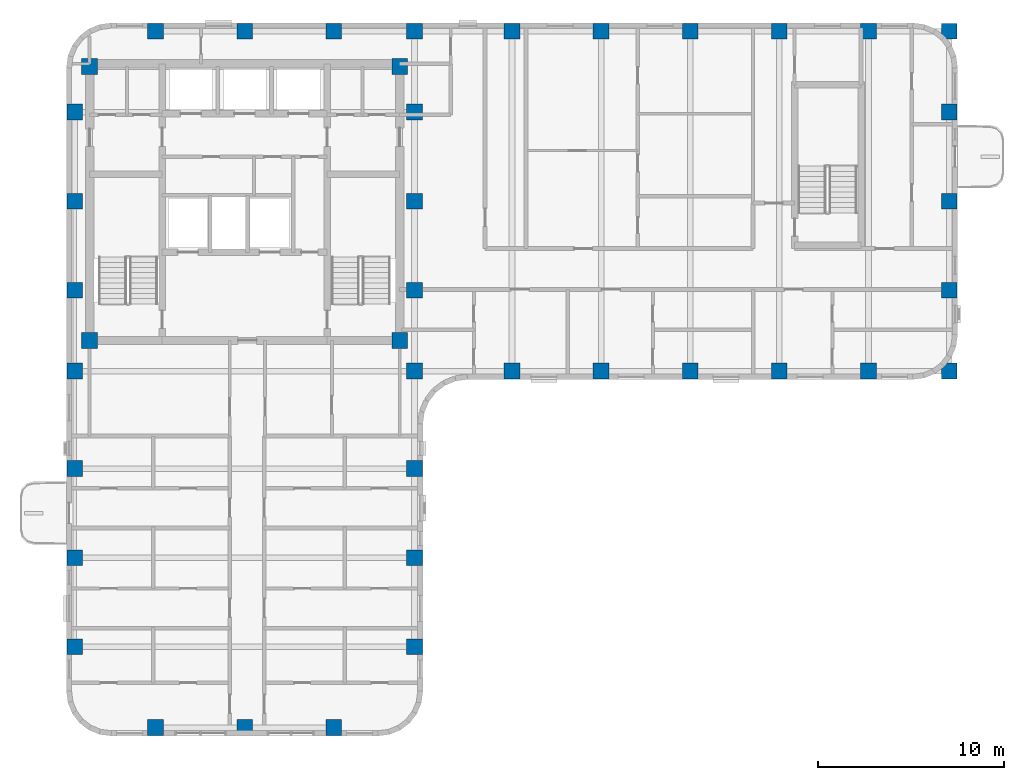
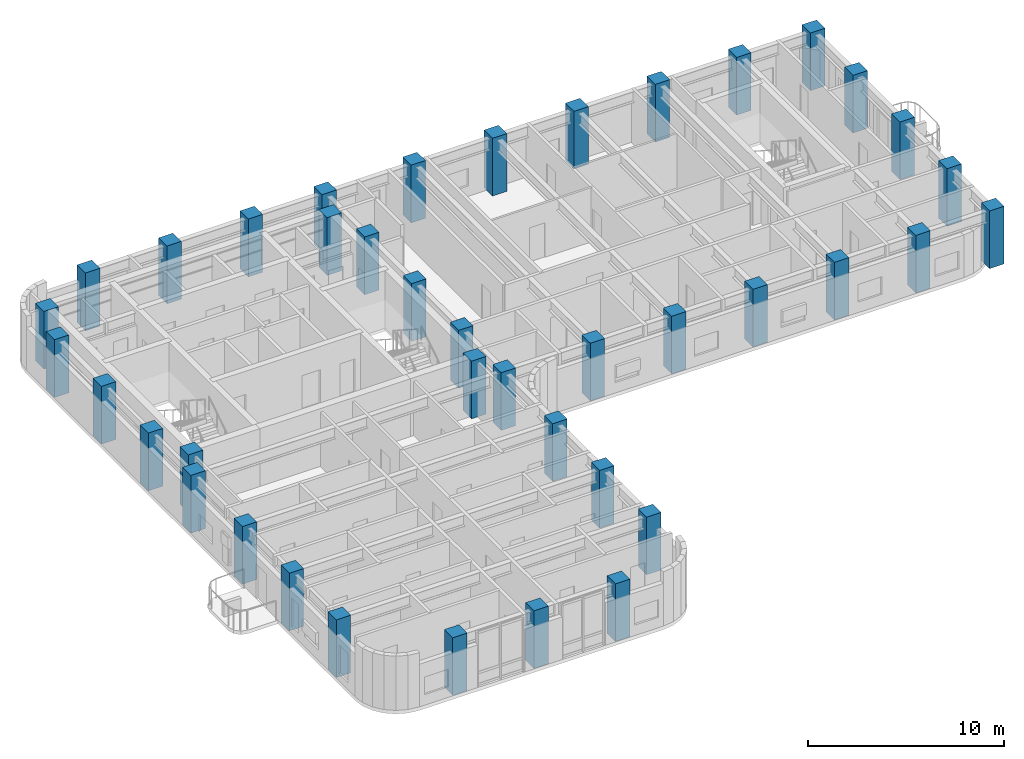
# One storey, part 1 of 12: 40 columns.
"""IFC4 building model written with IfcOpenShell, lengths in metres."""

import ifcopenshell
import ifcopenshell.guid

model = None  # the IFC model being written
_history = None  # IfcOwnerHistory: only IFC2X3 demands one
_inside = {}  # id of a spatial element -> (the spatial element, [elements in it])
_under = {}  # id of a project, library or spatial element -> (it, [spatial elements below it])
_declared = {}  # id of a project -> (the project, [libraries it declares])
_typed = {}  # id of a type object -> (the type object, [elements of that type])
_made_of = {}  # id of a material, layer set ... -> (it, [elements and type objects made of it])


def new_model(schema):
    """Start an empty IFC model of exactly this schema.

    Asked for "IFC4X3", IfcOpenShell would pick the latest addendum, in which some entities
    have other attributes; the version numbers below select the first issue.
    IFC2X3 requires an IfcOwnerHistory on every rooted entity: one is made here for all.
    """
    global model, _history
    if schema == "IFC4X3":
        model = ifcopenshell.file(schema_version=(4, 3, 0, 0))
    else:
        model = ifcopenshell.file(schema=schema)
    _inside.clear()
    _under.clear()
    _declared.clear()
    _typed.clear()
    _made_of.clear()
    _history = None
    if model.schema == "IFC2X3":
        org = make("IfcOrganization", Name="unknown")
        user = make(
            "IfcPersonAndOrganization",
            ThePerson=make("IfcPerson", FamilyName="unknown"),
            TheOrganization=org,
        )
        app = make(
            "IfcApplication",
            ApplicationDeveloper=org,
            Version="unknown",
            ApplicationFullName="unknown",
            ApplicationIdentifier="unknown",
        )
        _history = make(
            "IfcOwnerHistory",
            OwningUser=user,
            OwningApplication=app,
            ChangeAction="ADDED",
            CreationDate=0,
        )
    return model


def make(cls, **values):
    """One entity of the class cls with the attributes given. An attribute that is None is left unset."""
    return model.create_entity(
        cls, **{name: value for name, value in values.items() if value is not None}
    )


def rooted(cls, **values):
    """An entity with a GlobalId (a new one), such as an element, a storey or a relation."""
    return make(cls, GlobalId=ifcopenshell.guid.new(), OwnerHistory=_history, **values)


def si_unit(unit_type, name, prefix=None):
    """IfcSIUnit, for example si_unit("LENGTHUNIT", "METRE", prefix="MILLI")."""
    return make("IfcSIUnit", UnitType=unit_type, Prefix=prefix, Name=name)


def assignment(units):
    """IfcUnitAssignment: the units of a project."""
    return None if units is None else make("IfcUnitAssignment", Units=units)


def point(xyz):
    """IfcCartesianPoint."""
    return None if xyz is None else make("IfcCartesianPoint", Coordinates=xyz)


def direction(xyz):
    """IfcDirection."""
    return None if xyz is None else make("IfcDirection", DirectionRatios=xyz)


def frame(location, z_axis=None, x_axis=None):
    """IfcAxis2Placement3D, a coordinate frame: its origin and axes. An axis left out is left unset."""
    return make(
        "IfcAxis2Placement3D",
        Location=point(location),
        Axis=direction(z_axis),
        RefDirection=direction(x_axis),
    )


def frame_2d(location, x_axis=None):
    """IfcAxis2Placement2D, a coordinate frame in the plane: its origin and x axis."""
    return make(
        "IfcAxis2Placement2D", Location=point(location), RefDirection=direction(x_axis)
    )


def origin():
    """The frame at (0, 0, 0) with its axes left unset."""
    return frame((0.0, 0.0, 0.0))


def origin_2d():
    """The frame at (0, 0) in the plane with its x axis left unset."""
    return frame_2d((0.0, 0.0))


def place(relative_to, where):
    """IfcLocalPlacement: puts the frame where relative to a parent placement (None: the world)."""
    return make(
        "IfcLocalPlacement", PlacementRelTo=relative_to, RelativePlacement=where
    )


def context(
    kind, dimensions, precision=None, world=None, true_north=None, identifier=None
):
    """IfcGeometricRepresentationContext, for example the 3D "Model" context."""
    return make(
        "IfcGeometricRepresentationContext",
        ContextIdentifier=identifier,
        ContextType=kind,
        CoordinateSpaceDimension=dimensions,
        Precision=precision,
        WorldCoordinateSystem=world,
        TrueNorth=true_north,
    )


def subcontext(parent, identifier, kind, view, scale=None):
    """IfcGeometricRepresentationSubContext, for example "Body" below "Model"."""
    return make(
        "IfcGeometricRepresentationSubContext",
        ContextIdentifier=identifier,
        ContextType=kind,
        ParentContext=parent,
        TargetScale=scale,
        TargetView=view,
    )


def project(units=None, contexts=None):
    """IfcProject with its units and contexts."""
    return rooted(
        "IfcProject",
        Name="project",
        RepresentationContexts=contexts,
        UnitsInContext=assignment(units),
    )


def spatial(cls, under=None, at=None, **own):
    """A site, building, storey or space (cls), placed at a placement, below another one or the project."""
    s = rooted(cls, ObjectPlacement=at, **own)
    if under is not None:
        _under.setdefault(under.id(), (under, []))[1].append(s)
    return s


def profile(cls, at=None, kind="AREA", **sizes):
    """A parametric profile (cls). Its sizes go by their IFC names, for example OverallWidth=200.0."""
    return make(cls, ProfileType=kind, Position=at, **sizes)


def rectangle(**sizes):
    """IfcRectangleProfileDef."""
    return profile("IfcRectangleProfileDef", **sizes)


def extrude(swept, where, along, depth):
    """IfcExtrudedAreaSolid: the profile swept, set in the frame where, extruded along a direction by depth."""
    return make(
        "IfcExtrudedAreaSolid",
        SweptArea=swept,
        Position=where,
        ExtrudedDirection=direction(along),
        Depth=depth,
    )


def shape(context_of_items, identifier, shape_type, items):
    """IfcShapeRepresentation: the items that make up one representation, for example the "Body"."""
    return make(
        "IfcShapeRepresentation",
        ContextOfItems=context_of_items,
        RepresentationIdentifier=identifier,
        RepresentationType=shape_type,
        Items=items,
    )


def material(Name=None, Category=None):
    """IfcMaterial."""
    return make("IfcMaterial", Name=Name, Category=Category)


def material_profile(
    of_material, cross_section, Name=None, Category=None, Priority=None
):
    """IfcMaterialProfile: a cross section and its material."""
    return make(
        "IfcMaterialProfile",
        Name=Name,
        Material=of_material,
        Profile=cross_section,
        Priority=Priority,
        Category=Category,
    )


def profile_set(profiles, Name=None, composite=None):
    """IfcMaterialProfileSet."""
    return make(
        "IfcMaterialProfileSet",
        Name=Name,
        MaterialProfiles=profiles,
        CompositeProfile=composite,
    )


def made_of(thing, what):
    """Note that an element or type object is made of a material, layer set ...; save() writes the relation."""
    if what is not None:
        _made_of.setdefault(what.id(), (what, []))[1].append(thing)
    return thing


def type_object(cls, material=None, **own):
    """A type object (cls), such as IfcWallType, which elements share."""
    return made_of(rooted(cls, **own), material)


def element(
    cls,
    number,
    at=None,
    inside=None,
    cuts=None,
    type_object=None,
    material=None,
    context=None,
    identifier="Body",
    shape_type=None,
    held_by="IfcProductDefinitionShape",
    body=None,
    shapes=None,
    **own,
):
    """One element of the class cls, such as IfcWall. Its Tag is "e" and its number.

    at: its placement. inside: the storey or other place that contains it. cuts: it is an
    opening in that element (IfcRelVoidsElement). A single representation is given by context,
    identifier, shape_type and body (its items); several are given by shapes. held_by: the class
    of the entity that holds the representations. save() writes the other relations.
    """
    e = rooted(cls, Tag="e%d" % number, ObjectPlacement=at, **own)
    if body is not None:
        shapes = [shape(context, identifier, shape_type, body)]
    if shapes is not None:
        e.Representation = make(held_by, Representations=shapes)
    if inside is not None:
        _inside.setdefault(inside.id(), (inside, []))[1].append(e)
    if cuts is not None:
        rooted(
            "IfcRelVoidsElement", RelatingBuildingElement=cuts, RelatedOpeningElement=e
        )
    if type_object is not None:
        _typed.setdefault(type_object.id(), (type_object, []))[1].append(e)
    return made_of(e, material)


def aggregate(whole, parts):
    """IfcRelAggregates: a whole, such as a stair, and the parts it consists of."""
    return rooted("IfcRelAggregates", RelatingObject=whole, RelatedObjects=parts)


def save(model, path):
    """Write the relations noted so far, then the file.

    IfcRelAggregates (storeys below a building ...), IfcRelContainedInSpatialStructure (elements
    in a storey), IfcRelDefinesByType, IfcRelAssociatesMaterial and IfcRelDeclares: one each for
    every whole, place, type object, material and project.
    """
    for whole, parts in _under.values():
        aggregate(whole, parts)
    for where, things in _inside.values():
        rooted(
            "IfcRelContainedInSpatialStructure",
            RelatedElements=things,
            RelatingStructure=where,
        )
    for kind, things in _typed.values():
        rooted("IfcRelDefinesByType", RelatedObjects=things, RelatingType=kind)
    for what, things in _made_of.values():
        rooted("IfcRelAssociatesMaterial", RelatedObjects=things, RelatingMaterial=what)
    for by, libraries in _declared.values():
        rooted("IfcRelDeclares", RelatingContext=by, RelatedDefinitions=libraries)
    model.write(path)


model = new_model("IFC4")

# Units and contexts
model_context = context("Model", 3, precision=1e-05, world=origin(), true_north=direction((0.0, 1.0)))
body_context = subcontext(model_context, "Body", "Model", "MODEL_VIEW")
ifc_project = project(units=[si_unit("LENGTHUNIT", "METRE"), si_unit("AREAUNIT", "SQUARE_METRE"), si_unit("VOLUMEUNIT", "CUBIC_METRE"), si_unit("PLANEANGLEUNIT", "RADIAN"), si_unit("MASSUNIT", "GRAM", prefix="KILO")], contexts=[model_context])

# Site, building, storey
site_placement = place(None, origin())
site = spatial("IfcSite", under=ifc_project, at=site_placement, CompositionType="ELEMENT")
building_placement = place(site_placement, origin())
building = spatial("IfcBuilding", under=site, at=building_placement, Name="Orvandelia Arch Residences", CompositionType="ELEMENT")
storey_placement = place(building_placement, frame((0.0, 0.0, 214.60009765625)))
storey = spatial("IfcBuildingStorey", under=building, at=storey_placement, Name="L56", CompositionType="ELEMENT", Elevation=214.60009765625)

# Columns
ifc_material = material(Name="Concrete C60/75", Category="concrete")
ifc_material_profile = material_profile(ifc_material, rectangle(XDim=0.85009765625, YDim=0.85009765625, at=origin_2d()), Name="Concrete C60/75", Category="concrete")
ifc_profile_set = profile_set([ifc_material_profile], Name="Concrete C60/75")
column_type = type_object("IfcColumnType", Name="COL-TWR-850", PredefinedType="COLUMN", material=ifc_profile_set)
for number, where, z_axis, x_axis, name in (
    (1, (5.25, 14.39990234375, 0.0), (0.0, 0.0, 1.0), (1.0, 0.0, 0.0), "Structural Column L56-W-W-144"),
    (2, (5.25, 19.199951171875, 0.0), (0.0, 0.0, 1.0), (1.0, 0.0, 0.0), "Structural Column L56-W-W-192"),
    (3, (5.25, 24.0, 0.0), (0.0, 0.0, 1.0), (1.0, 0.0, 0.0), "Structural Column L56-W-W-240"),
    (4, (5.25, 29.25, 0.0), (0.0, 0.0, 1.0), (1.0, 0.0, 0.0), "Structural Column L56-W-W-292"),
    (5, (5.25, 33.60009765625, 0.0), (0.0, 0.0, 1.0), (1.0, 0.0, 0.0), "Structural Column L56-W-W-336"),
    (6, (5.25, 38.39990234375, 0.0), (0.0, 0.0, 1.0), (1.0, 0.0, 0.0), "Structural Column L56-W-W-384"),
    (7, (5.25, 43.199951171875, 0.0), (0.0, 0.0, 1.0), (1.0, 0.0, 0.0), "Structural Column L56-W-W-432"),
    (8, (6.050048828125, 30.89990234375, 0.0), (0.0, 0.0, 1.0), (1.0, 0.0, 0.0), "Structural Column L56-CR-SW"),
    (9, (6.050048828125, 45.64990234375, 0.0), (0.0, 0.0, 1.0), (1.0, 0.0, 0.0), "Structural Column L56-CR-NW"),
    (10, (9.60009765625, 10.050048828125, 0.0), (0.0, 0.0, 1.0), (1.0, 0.0, 0.0), "Structural Column L56-W-S-96"),
    (11, (9.60009765625, 47.550048828125, 0.0), (0.0, 0.0, 1.0), (1.0, 0.0, 0.0), "Structural Column L56-W-N-96"),
    (12, (14.39990234375, 10.050048828125, 0.0), (0.0, 0.0, 1.0), (1.0, 0.0, 0.0), "Structural Column L56-W-S-144"),
    (13, (14.39990234375, 47.550048828125, 0.0), (0.0, 0.0, 1.0), (1.0, 0.0, 0.0), "Structural Column L56-W-N-144"),
    (14, (19.199951171875, 10.050048828125, 0.0), (0.0, 0.0, 1.0), (1.0, 0.0, 0.0), "Structural Column L56-W-S-192"),
    (15, (19.199951171875, 47.550048828125, 0.0), (0.0, 0.0, 1.0), (1.0, 0.0, 0.0), "Structural Column L56-W-N-192"),
    (16, (22.75, 30.89990234375, 0.0), (0.0, 0.0, 1.0), (1.0, 0.0, 0.0), "Structural Column L56-CR-SE"),
    (17, (22.75, 45.64990234375, 0.0), (0.0, 0.0, 1.0), (1.0, 0.0, 0.0), "Structural Column L56-CR-NE"),
    (18, (23.550048828125, 14.39990234375, 0.0), (0.0, 0.0, 1.0), (1.0, 0.0, 0.0), "Structural Column L56-W-E-144"),
    (19, (23.550048828125, 19.199951171875, 0.0), (0.0, 0.0, 1.0), (1.0, 0.0, 0.0), "Structural Column L56-W-E-192"),
    (20, (23.550048828125, 24.0, 0.0), (0.0, 0.0, 1.0), (1.0, 0.0, 0.0), "Structural Column L56-W-E-240"),
    (21, (23.550048828125, 29.25, 0.0), (0.0, 0.0, 1.0), (1.0, 0.0, 0.0), "Structural Column L56-W-E-292"),
    (22, (23.550048828125, 33.60009765625, 0.0), (0.0, 0.0, 1.0), (1.0, 0.0, 0.0), "Structural Column L56-W-E-336"),
    (23, (23.550048828125, 38.39990234375, 0.0), (0.0, 0.0, 1.0), (1.0, 0.0, 0.0), "Structural Column L56-W-E-384"),
    (24, (23.550048828125, 43.199951171875, 0.0), (0.0, 0.0, 1.0), (1.0, 0.0, 0.0), "Structural Column L56-W-E-432"),
    (25, (23.550048828125, 47.550048828125, 0.0), (0.0, 0.0, 1.0), (1.0, 0.0, 0.0), "Structural Column L56-W-N-235"),
    (26, (28.800048828125, 29.25, 0.0), (0.0, 0.0, 1.0), (1.0, 0.0, 0.0), "Structural Column L56-E-S-288"),
    (27, (28.800048828125, 47.550048828125, 0.0), (0.0, 0.0, 1.0), (1.0, 0.0, 0.0), "Structural Column L56-E-N-288"),
    (28, (33.60009765625, 29.25, 0.0), (0.0, 0.0, 1.0), (1.0, 0.0, 0.0), "Structural Column L56-E-S-336"),
    (29, (33.60009765625, 47.550048828125, 0.0), (0.0, 0.0, 1.0), (1.0, 0.0, 0.0), "Structural Column L56-E-N-336"),
    (30, (38.39990234375, 29.25, 0.0), (0.0, 0.0, 1.0), (1.0, 0.0, 0.0), "Structural Column L56-E-S-384"),
    (31, (38.39990234375, 47.550048828125, 0.0), (0.0, 0.0, 1.0), (1.0, 0.0, 0.0), "Structural Column L56-E-N-384"),
    (32, (43.199951171875, 29.25, 0.0), (0.0, 0.0, 1.0), (1.0, 0.0, 0.0), "Structural Column L56-E-S-432"),
    (33, (43.199951171875, 47.550048828125, 0.0), (0.0, 0.0, 1.0), (1.0, 0.0, 0.0), "Structural Column L56-E-N-432"),
    (34, (48.0, 29.25, 0.0), (0.0, 0.0, 1.0), (1.0, 0.0, 0.0), "Structural Column L56-E-S-480"),
    (35, (48.0, 47.550048828125, 0.0), (0.0, 0.0, 1.0), (1.0, 0.0, 0.0), "Structural Column L56-E-N-480"),
    (36, (52.35009765625, 29.25, 0.0), (0.0, 0.0, 1.0), (1.0, 0.0, 0.0), "Structural Column L56-E-S-523"),
    (37, (52.35009765625, 33.60009765625, 0.0), (0.0, 0.0, 1.0), (1.0, 0.0, 0.0), "Structural Column L56-E-523-336"),
    (38, (52.35009765625, 38.39990234375, 0.0), (0.0, 0.0, 1.0), (1.0, 0.0, 0.0), "Structural Column L56-E-523-384"),
    (39, (52.35009765625, 43.199951171875, 0.0), (0.0, 0.0, 1.0), (1.0, 0.0, 0.0), "Structural Column L56-E-523-432"),
    (40, (52.35009765625, 47.550048828125, 0.0), (0.0, 0.0, 1.0), (1.0, 0.0, 0.0), "Structural Column L56-E-N-523"),
):
    element("IfcColumn", number, at=place(storey_placement, frame(where, z_axis=z_axis, x_axis=x_axis)), inside=storey, type_object=column_type, Name=name, PredefinedType="COLUMN", context=body_context, shape_type="SweptSolid", body=[
        extrude(rectangle(XDim=0.85009765625, YDim=0.85009765625, at=origin_2d()), origin(), (0.0, 0.0, 1.0), 3.599853515625),
    ])

save(model, "model.ifc")
